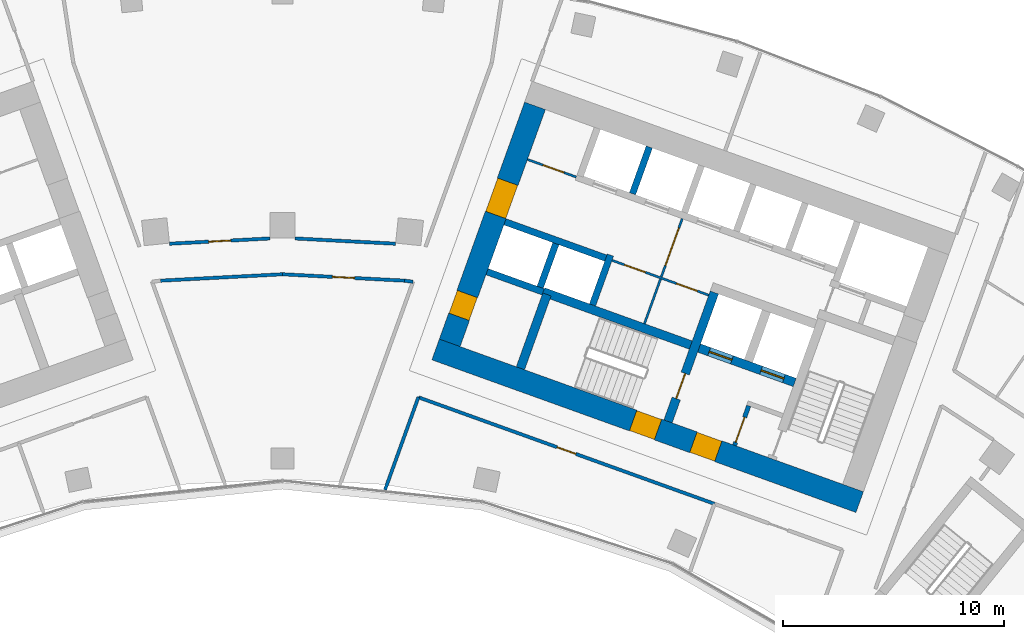
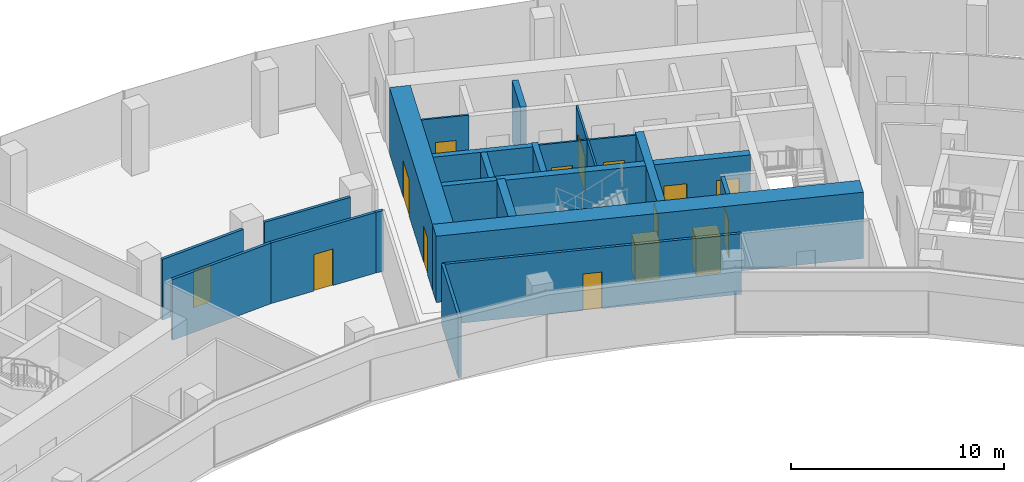
# One storey, part 13 of 17: 21 walls, 15 doors, 15 openings.
"""IFC4 building model written with IfcOpenShell, lengths in metres."""

import ifcopenshell
import ifcopenshell.guid

model = None  # the IFC model being written
_history = None  # IfcOwnerHistory: only IFC2X3 demands one
_inside = {}  # id of a spatial element -> (the spatial element, [elements in it])
_under = {}  # id of a project, library or spatial element -> (it, [spatial elements below it])
_declared = {}  # id of a project -> (the project, [libraries it declares])
_typed = {}  # id of a type object -> (the type object, [elements of that type])
_made_of = {}  # id of a material, layer set ... -> (it, [elements and type objects made of it])


def new_model(schema):
    """Start an empty IFC model of exactly this schema.

    Asked for "IFC4X3", IfcOpenShell would pick the latest addendum, in which some entities
    have other attributes; the version numbers below select the first issue.
    IFC2X3 requires an IfcOwnerHistory on every rooted entity: one is made here for all.
    """
    global model, _history
    if schema == "IFC4X3":
        model = ifcopenshell.file(schema_version=(4, 3, 0, 0))
    else:
        model = ifcopenshell.file(schema=schema)
    _inside.clear()
    _under.clear()
    _declared.clear()
    _typed.clear()
    _made_of.clear()
    _history = None
    if model.schema == "IFC2X3":
        org = make("IfcOrganization", Name="unknown")
        user = make(
            "IfcPersonAndOrganization",
            ThePerson=make("IfcPerson", FamilyName="unknown"),
            TheOrganization=org,
        )
        app = make(
            "IfcApplication",
            ApplicationDeveloper=org,
            Version="unknown",
            ApplicationFullName="unknown",
            ApplicationIdentifier="unknown",
        )
        _history = make(
            "IfcOwnerHistory",
            OwningUser=user,
            OwningApplication=app,
            ChangeAction="ADDED",
            CreationDate=0,
        )
    return model


def make(cls, **values):
    """One entity of the class cls with the attributes given. An attribute that is None is left unset."""
    return model.create_entity(
        cls, **{name: value for name, value in values.items() if value is not None}
    )


def rooted(cls, **values):
    """An entity with a GlobalId (a new one), such as an element, a storey or a relation."""
    return make(cls, GlobalId=ifcopenshell.guid.new(), OwnerHistory=_history, **values)


def si_unit(unit_type, name, prefix=None):
    """IfcSIUnit, for example si_unit("LENGTHUNIT", "METRE", prefix="MILLI")."""
    return make("IfcSIUnit", UnitType=unit_type, Prefix=prefix, Name=name)


def assignment(units):
    """IfcUnitAssignment: the units of a project."""
    return None if units is None else make("IfcUnitAssignment", Units=units)


def point(xyz):
    """IfcCartesianPoint."""
    return None if xyz is None else make("IfcCartesianPoint", Coordinates=xyz)


def direction(xyz):
    """IfcDirection."""
    return None if xyz is None else make("IfcDirection", DirectionRatios=xyz)


def frame(location, z_axis=None, x_axis=None):
    """IfcAxis2Placement3D, a coordinate frame: its origin and axes. An axis left out is left unset."""
    return make(
        "IfcAxis2Placement3D",
        Location=point(location),
        Axis=direction(z_axis),
        RefDirection=direction(x_axis),
    )


def frame_2d(location, x_axis=None):
    """IfcAxis2Placement2D, a coordinate frame in the plane: its origin and x axis."""
    return make(
        "IfcAxis2Placement2D", Location=point(location), RefDirection=direction(x_axis)
    )


def origin():
    """The frame at (0, 0, 0) with its axes left unset."""
    return frame((0.0, 0.0, 0.0))


def place(relative_to, where):
    """IfcLocalPlacement: puts the frame where relative to a parent placement (None: the world)."""
    return make(
        "IfcLocalPlacement", PlacementRelTo=relative_to, RelativePlacement=where
    )


def context(
    kind, dimensions, precision=None, world=None, true_north=None, identifier=None
):
    """IfcGeometricRepresentationContext, for example the 3D "Model" context."""
    return make(
        "IfcGeometricRepresentationContext",
        ContextIdentifier=identifier,
        ContextType=kind,
        CoordinateSpaceDimension=dimensions,
        Precision=precision,
        WorldCoordinateSystem=world,
        TrueNorth=true_north,
    )


def subcontext(parent, identifier, kind, view, scale=None):
    """IfcGeometricRepresentationSubContext, for example "Body" below "Model"."""
    return make(
        "IfcGeometricRepresentationSubContext",
        ContextIdentifier=identifier,
        ContextType=kind,
        ParentContext=parent,
        TargetScale=scale,
        TargetView=view,
    )


def project(units=None, contexts=None):
    """IfcProject with its units and contexts."""
    return rooted(
        "IfcProject",
        Name="project",
        RepresentationContexts=contexts,
        UnitsInContext=assignment(units),
    )


def spatial(cls, under=None, at=None, **own):
    """A site, building, storey or space (cls), placed at a placement, below another one or the project."""
    s = rooted(cls, ObjectPlacement=at, **own)
    if under is not None:
        _under.setdefault(under.id(), (under, []))[1].append(s)
    return s


def profile(cls, at=None, kind="AREA", **sizes):
    """A parametric profile (cls). Its sizes go by their IFC names, for example OverallWidth=200.0."""
    return make(cls, ProfileType=kind, Position=at, **sizes)


def rectangle(**sizes):
    """IfcRectangleProfileDef."""
    return profile("IfcRectangleProfileDef", **sizes)


def extrude(swept, where, along, depth):
    """IfcExtrudedAreaSolid: the profile swept, set in the frame where, extruded along a direction by depth."""
    return make(
        "IfcExtrudedAreaSolid",
        SweptArea=swept,
        Position=where,
        ExtrudedDirection=direction(along),
        Depth=depth,
    )


def shape(context_of_items, identifier, shape_type, items):
    """IfcShapeRepresentation: the items that make up one representation, for example the "Body"."""
    return make(
        "IfcShapeRepresentation",
        ContextOfItems=context_of_items,
        RepresentationIdentifier=identifier,
        RepresentationType=shape_type,
        Items=items,
    )


def material(Name=None, Category=None):
    """IfcMaterial."""
    return make("IfcMaterial", Name=Name, Category=Category)


def layer(
    of_material, thickness, ventilated=None, Name=None, Category=None, Priority=None
):
    """IfcMaterialLayer: one layer of a wall or slab, of a material (None: an air gap)."""
    return make(
        "IfcMaterialLayer",
        Material=of_material,
        LayerThickness=thickness,
        IsVentilated=ventilated,
        Name=Name,
        Category=Category,
        Priority=Priority,
    )


def layer_set(layers, Name=None):
    """IfcMaterialLayerSet."""
    return make("IfcMaterialLayerSet", MaterialLayers=layers, LayerSetName=Name)


def made_of(thing, what):
    """Note that an element or type object is made of a material, layer set ...; save() writes the relation."""
    if what is not None:
        _made_of.setdefault(what.id(), (what, []))[1].append(thing)
    return thing


def type_object(cls, material=None, **own):
    """A type object (cls), such as IfcWallType, which elements share."""
    return made_of(rooted(cls, **own), material)


def element(
    cls,
    number,
    at=None,
    inside=None,
    cuts=None,
    type_object=None,
    material=None,
    context=None,
    identifier="Body",
    shape_type=None,
    held_by="IfcProductDefinitionShape",
    body=None,
    shapes=None,
    **own,
):
    """One element of the class cls, such as IfcWall. Its Tag is "e" and its number.

    at: its placement. inside: the storey or other place that contains it. cuts: it is an
    opening in that element (IfcRelVoidsElement). A single representation is given by context,
    identifier, shape_type and body (its items); several are given by shapes. held_by: the class
    of the entity that holds the representations. save() writes the other relations.
    """
    e = rooted(cls, Tag="e%d" % number, ObjectPlacement=at, **own)
    if body is not None:
        shapes = [shape(context, identifier, shape_type, body)]
    if shapes is not None:
        e.Representation = make(held_by, Representations=shapes)
    if inside is not None:
        _inside.setdefault(inside.id(), (inside, []))[1].append(e)
    if cuts is not None:
        rooted(
            "IfcRelVoidsElement", RelatingBuildingElement=cuts, RelatedOpeningElement=e
        )
    if type_object is not None:
        _typed.setdefault(type_object.id(), (type_object, []))[1].append(e)
    return made_of(e, material)


def fill(opening, filler):
    """IfcRelFillsElement: the door or window that sits in an opening."""
    return rooted(
        "IfcRelFillsElement",
        RelatingOpeningElement=opening,
        RelatedBuildingElement=filler,
    )


def aggregate(whole, parts):
    """IfcRelAggregates: a whole, such as a stair, and the parts it consists of."""
    return rooted("IfcRelAggregates", RelatingObject=whole, RelatedObjects=parts)


def save(model, path):
    """Write the relations noted so far, then the file.

    IfcRelAggregates (storeys below a building ...), IfcRelContainedInSpatialStructure (elements
    in a storey), IfcRelDefinesByType, IfcRelAssociatesMaterial and IfcRelDeclares: one each for
    every whole, place, type object, material and project.
    """
    for whole, parts in _under.values():
        aggregate(whole, parts)
    for where, things in _inside.values():
        rooted(
            "IfcRelContainedInSpatialStructure",
            RelatedElements=things,
            RelatingStructure=where,
        )
    for kind, things in _typed.values():
        rooted("IfcRelDefinesByType", RelatedObjects=things, RelatingType=kind)
    for what, things in _made_of.values():
        rooted("IfcRelAssociatesMaterial", RelatedObjects=things, RelatingMaterial=what)
    for by, libraries in _declared.values():
        rooted("IfcRelDeclares", RelatingContext=by, RelatedDefinitions=libraries)
    model.write(path)


model = new_model("IFC4")

# Units and contexts
model_context = context("Model", 3, precision=1e-05, world=origin(), true_north=direction((0.0, 1.0)))
body_context = subcontext(model_context, "Body", "Model", "MODEL_VIEW")
ifc_project = project(units=[si_unit("LENGTHUNIT", "METRE"), si_unit("AREAUNIT", "SQUARE_METRE"), si_unit("VOLUMEUNIT", "CUBIC_METRE"), si_unit("PLANEANGLEUNIT", "RADIAN"), si_unit("MASSUNIT", "GRAM", prefix="KILO")], contexts=[model_context])

# Site, building, storey
site_placement = place(None, origin())
site = spatial("IfcSite", under=ifc_project, at=site_placement, CompositionType="ELEMENT")
building_placement = place(site_placement, origin())
building = spatial("IfcBuilding", under=site, at=building_placement, Name="Stone Belt Terrace Tower", CompositionType="ELEMENT")
storey_placement = place(building_placement, frame((0.0, 0.0, 231.39990234375)))
storey = spatial("IfcBuildingStorey", under=building, at=storey_placement, Name="L56", CompositionType="ELEMENT", Elevation=231.39990234375)

# Wall, openings, doors
ifc_material_1 = material(Name="Plasterboard partition")
ifc_layer_1 = layer(ifc_material_1, 0.10009765625)
ifc_layer_set_1 = layer_set([ifc_layer_1], Name="Core partition 100")
wall_type_1 = type_object("IfcWallType", Name="Core partition 100", PredefinedType="PARTITIONING", material=ifc_layer_set_1)
wall_1_placement = place(storey_placement, frame((19.29052734375, 51.829833984375, 0.0), z_axis=(0.0, 0.0, 1.0), x_axis=(-0.940930240745, 0.338600475563, 0.0)))
wall_1 = element("IfcWall", 1, at=wall_1_placement, inside=storey, type_object=wall_type_1, Name="Core B wall", PredefinedType="PARTITIONING", context=body_context, shape_type="SweptSolid", body=[
    extrude(rectangle(XDim=4.64990234375, YDim=0.10009765625, at=frame_2d((2.324951171875, 0.0))), origin(), (0.0, 0.0, 1.0), 3.47998046875),
])
opening_1_placement = place(wall_1_placement, frame((0.550048828125, 0.0, 0.0)))
opening_1 = element("IfcOpeningElement", 2, at=opening_1_placement, cuts=wall_1, Name="Opening L56-C15", PredefinedType="OPENING", context=body_context, shape_type="SweptSolid", body=[
    extrude(rectangle(XDim=1.0, YDim=2.10009765625, at=frame_2d((0.5, 1.050048828125))), frame((0.0, 0.06005859375, 0.0), z_axis=(0.0, -1.0, 0.0), x_axis=(1.0, 0.0, 0.0)), (0.0, 0.0, 1.0), 0.1201171875),
])
opening_2_placement = place(wall_1_placement, frame((3.050048828125, 0.0, 0.0)))
opening_2 = element("IfcOpeningElement", 3, at=opening_2_placement, cuts=wall_1, Name="Opening L56-C16", PredefinedType="OPENING", context=body_context, shape_type="SweptSolid", body=[
    extrude(rectangle(XDim=1.0, YDim=2.10009765625, at=frame_2d((0.5, 1.050048828125))), frame((0.0, 0.06005859375, 0.0), z_axis=(0.0, -1.0, 0.0), x_axis=(1.0, 0.0, 0.0)), (0.0, 0.0, 1.0), 0.1201171875),
])
ifc_material_2 = material(Name="Timber door leaf", Category="wood")
door_type_1 = type_object("IfcDoorType", Name="Core room door 1000", OperationType="SINGLE_SWING_LEFT", PredefinedType="DOOR", material=ifc_material_2)
door_1_placement = place(opening_1_placement, origin())
door_1 = element("IfcDoor", 4, at=door_1_placement, inside=storey, type_object=door_type_1, Name="Door to Communications hub room core B", OperationType="SINGLE_SWING_LEFT", OverallHeight=2.10009765625, OverallWidth=1.0, PredefinedType="DOOR", context=body_context, shape_type="SweptSolid", body=[
    extrude(rectangle(XDim=1.0, YDim=2.10009765625, at=frame_2d((0.5, 1.050048828125))), frame((0.0, 0.02490234375, 0.0), z_axis=(0.0, -1.0, 0.0), x_axis=(1.0, 0.0, 0.0)), (0.0, 0.0, 1.0), 0.050048828125),
])
fill(opening_1, door_1)
door_2_placement = place(opening_2_placement, origin())
door_2 = element("IfcDoor", 5, at=door_2_placement, inside=storey, type_object=door_type_1, Name="Door to Print and copy room core B", OperationType="SINGLE_SWING_RIGHT", OverallHeight=2.10009765625, OverallWidth=1.0, PredefinedType="DOOR", context=body_context, shape_type="SweptSolid", body=[
    extrude(rectangle(XDim=1.0, YDim=2.10009765625, at=frame_2d((0.5, 1.050048828125))), frame((0.0, 0.02490234375, 0.0), z_axis=(0.0, -1.0, 0.0), x_axis=(1.0, 0.0, 0.0)), (0.0, 0.0, 1.0), 0.050048828125),
])
fill(opening_2, door_2)

# Wall, opening, door
wall_2_placement = place(storey_placement, frame((16.38134765625, 50.53857421875, 0.0), z_axis=(0.0, 0.0, 1.0), x_axis=(0.33860476744, 0.940928696271, 0.0)))
wall_2 = element("IfcWall", 6, at=wall_2_placement, inside=storey, type_object=wall_type_1, Name="Core B wall", PredefinedType="PARTITIONING", context=body_context, shape_type="SweptSolid", body=[
    extrude(rectangle(XDim=5.050048828125, YDim=0.10009765625, at=frame_2d((2.52490234375, 0.0))), origin(), (0.0, 0.0, 1.0), 3.47998046875),
])
opening_3_placement = place(wall_2_placement, frame((2.800048828125, 0.0, 0.0)))
opening_3 = element("IfcOpeningElement", 7, at=opening_3_placement, cuts=wall_2, Name="Opening L56-C19", PredefinedType="OPENING", context=body_context, shape_type="SweptSolid", body=[
    extrude(rectangle(XDim=1.800048828125, YDim=2.10009765625, at=frame_2d((0.89990234375, 1.050048828125))), frame((0.0, 0.06005859375, 0.0), z_axis=(0.0, -1.0, 0.0), x_axis=(1.0, 0.0, 0.0)), (0.0, 0.0, 1.0), 0.1201171875),
])
ifc_material_3 = material(Name="Glazed aluminium door leaf", Category="aluminium")
door_type_2 = type_object("IfcDoorType", Name="Lift lobby entrance door 1800", OperationType="DOUBLE_DOOR_SINGLE_SWING", PredefinedType="DOOR", material=ifc_material_3)
door_3_placement = place(opening_3_placement, origin())
door_3 = element("IfcDoor", 8, at=door_3_placement, inside=storey, type_object=door_type_2, Name="Lift lobby double door core B", OperationType="DOUBLE_DOOR_SINGLE_SWING", OverallHeight=2.10009765625, OverallWidth=1.800048828125, PredefinedType="DOOR", context=body_context, shape_type="SweptSolid", body=[
    extrude(rectangle(XDim=1.800048828125, YDim=2.10009765625, at=frame_2d((0.89990234375, 1.050048828125))), frame((0.0, 0.02490234375, 0.0), z_axis=(0.0, -1.0, 0.0), x_axis=(1.0, 0.0, 0.0)), (0.0, 0.0, 1.0), 0.050048828125),
])
fill(opening_3, door_3)

wall_3_placement = place(storey_placement, frame((13.29638671875, 57.17529296875, 0.0), z_axis=(0.0, 0.0, 1.0), x_axis=(-0.940904627055, 0.338671644496, 0.0)))
wall_3 = element("IfcWall", 9, at=wall_3_placement, inside=storey, type_object=wall_type_1, Name="Core B wall", PredefinedType="PARTITIONING", context=body_context, shape_type="SweptSolid", body=[
    extrude(rectangle(XDim=2.35009765625, YDim=0.10009765625, at=frame_2d((1.175048828125, 0.0))), origin(), (0.0, 0.0, 1.0), 3.47998046875),
])
opening_4_placement = place(wall_3_placement, frame((0.60009765625, 0.0, 0.0)))
opening_4 = element("IfcOpeningElement", 10, at=opening_4_placement, cuts=wall_3, Name="Opening L56-C14", PredefinedType="OPENING", context=body_context, shape_type="SweptSolid", body=[
    extrude(rectangle(XDim=1.0, YDim=2.10009765625, at=frame_2d((0.5, 1.050048828125))), frame((0.0, 0.06005859375, 0.0), z_axis=(0.0, -1.0, 0.0), x_axis=(1.0, 0.0, 0.0)), (0.0, 0.0, 1.0), 0.1201171875),
])
door_4_placement = place(opening_4_placement, origin())
door_4 = element("IfcDoor", 11, at=door_4_placement, inside=storey, type_object=door_type_1, Name="Door to Tenant storage room core B", OperationType="SINGLE_SWING_LEFT", OverallHeight=2.10009765625, OverallWidth=1.0, PredefinedType="DOOR", context=body_context, shape_type="SweptSolid", body=[
    extrude(rectangle(XDim=1.0, YDim=2.10009765625, at=frame_2d((0.5, 1.050048828125))), frame((0.0, 0.02490234375, 0.0), z_axis=(0.0, -1.0, 0.0), x_axis=(1.0, 0.0, 0.0)), (0.0, 0.0, 1.0), 0.050048828125),
])
fill(opening_4, door_4)

# Wall, openings, doors
ifc_material_4 = material(Name="Concrete B60", Category="concrete")
ifc_layer_2 = layer(ifc_material_4, 1.0)
ifc_layer_set_2 = layer_set([ifc_layer_2], Name="Core wall 1000 B60")
wall_type_2 = type_object("IfcWallType", Name="Core wall 1000 B60", PredefinedType="SHEAR", material=ifc_layer_set_2)
wall_4_placement = place(storey_placement, frame((6.927490234375, 49.370849609375, 0.0), z_axis=(0.0, 0.0, 1.0), x_axis=(0.940921428504, -0.338624962727, 0.0)))
wall_4 = element("IfcWall", 12, at=wall_4_placement, inside=storey, type_object=wall_type_2, Name="Core B wall concave L56", PredefinedType="SHEAR", context=body_context, shape_type="SweptSolid", body=[
    extrude(rectangle(XDim=20.400146484375, YDim=1.0, at=frame_2d((10.2001953125, 0.0))), origin(), (0.0, 0.0, 1.0), 3.800048828125),
])
opening_5_placement = place(wall_4_placement, frame((12.39990234375, 0.0, 0.0)))
opening_5 = element("IfcOpeningElement", 13, at=opening_5_placement, cuts=wall_4, Name="Opening L56-C23", PredefinedType="OPENING", context=body_context, shape_type="SweptSolid", body=[
    extrude(rectangle(XDim=1.199951171875, YDim=2.10009765625, at=frame_2d((0.60009765625, 1.050048828125))), frame((0.0, 0.510009765625, 0.0), z_axis=(0.0, -1.0, 0.0), x_axis=(1.0, 0.0, 0.0)), (0.0, 0.0, 1.0), 1.02001953125),
])
opening_6_placement = place(wall_4_placement, frame((9.5, 0.0, 0.0)))
opening_6 = element("IfcOpeningElement", 14, at=opening_6_placement, cuts=wall_4, Name="Opening L56-C25", PredefinedType="OPENING", context=body_context, shape_type="SweptSolid", body=[
    extrude(rectangle(XDim=1.199951171875, YDim=2.10009765625, at=frame_2d((0.60009765625, 1.050048828125))), frame((0.0, 0.510009765625, 0.0), z_axis=(0.0, -1.0, 0.0), x_axis=(1.0, 0.0, 0.0)), (0.0, 0.0, 1.0), 1.02001953125),
])
ifc_material_5 = material(Name="Steel door leaf", Category="steel")
door_type_3 = type_object("IfcDoorType", Name="Fire-fighting lobby door 1200", OperationType="SINGLE_SWING_LEFT", PredefinedType="DOOR", material=ifc_material_5)
door_5_placement = place(opening_5_placement, origin())
door_5 = element("IfcDoor", 15, at=door_5_placement, inside=storey, type_object=door_type_3, Name="Fire-fighting lobby door core B", OperationType="SINGLE_SWING_LEFT", OverallHeight=2.10009765625, OverallWidth=1.199951171875, PredefinedType="DOOR", context=body_context, shape_type="SweptSolid", body=[
    extrude(rectangle(XDim=1.199951171875, YDim=2.10009765625, at=frame_2d((0.60009765625, 1.050048828125))), frame((0.0, 0.47998046875, 0.0), z_axis=(0.0, -1.0, 0.0), x_axis=(1.0, 0.0, 0.0)), (0.0, 0.0, 1.0), 0.9599609375),
])
fill(opening_5, door_5)
door_type_4 = type_object("IfcDoorType", Name="Stair door 1200", OperationType="SINGLE_SWING_LEFT", PredefinedType="DOOR", material=ifc_material_5)
door_6_placement = place(opening_6_placement, origin())
door_6 = element("IfcDoor", 16, at=door_6_placement, inside=storey, type_object=door_type_4, Name="Stair 2 exit door core B", OperationType="SINGLE_SWING_RIGHT", OverallHeight=2.10009765625, OverallWidth=1.199951171875, PredefinedType="DOOR", context=body_context, shape_type="SweptSolid", body=[
    extrude(rectangle(XDim=1.199951171875, YDim=2.10009765625, at=frame_2d((0.60009765625, 1.050048828125))), frame((0.0, 0.47998046875, 0.0), z_axis=(0.0, -1.0, 0.0), x_axis=(1.0, 0.0, 0.0)), (0.0, 0.0, 1.0), 0.9599609375),
])
fill(opening_6, door_6)

wall_5_placement = place(storey_placement, frame((7.567138671875, 49.672119140625, 0.0), z_axis=(0.0, 0.0, 1.0), x_axis=(0.338625431531, 0.940921259788, 0.0)))
wall_5 = element("IfcWall", 17, at=wall_5_placement, inside=storey, type_object=wall_type_2, Name="Core B wall end_a L56", PredefinedType="SHEAR", context=body_context, shape_type="SweptSolid", body=[
    extrude(rectangle(XDim=11.400146484375, YDim=1.0, at=frame_2d((5.7001953125, 0.0))), origin(), (0.0, 0.0, 1.0), 3.800048828125),
])
opening_7_placement = place(wall_5_placement, frame((6.14990234375, 0.0, 0.0)))
opening_7 = element("IfcOpeningElement", 18, at=opening_7_placement, cuts=wall_5, Name="Opening L56-C20", PredefinedType="OPENING", context=body_context, shape_type="SweptSolid", body=[
    extrude(rectangle(XDim=1.60009765625, YDim=2.10009765625, at=frame_2d((0.800048828125, 1.050048828125))), frame((0.0, 0.510009765625, 0.0), z_axis=(0.0, -1.0, 0.0), x_axis=(1.0, 0.0, 0.0)), (0.0, 0.0, 1.0), 1.02001953125),
])
opening_8_placement = place(wall_5_placement, frame((1.25, 0.0, 0.0)))
opening_8 = element("IfcOpeningElement", 19, at=opening_8_placement, cuts=wall_5, Name="Opening L56-C26", PredefinedType="OPENING", context=body_context, shape_type="SweptSolid", body=[
    extrude(rectangle(XDim=1.10009765625, YDim=2.10009765625, at=frame_2d((0.550048828125, 1.050048828125))), frame((0.0, 0.510009765625, 0.0), z_axis=(0.0, -1.0, 0.0), x_axis=(1.0, 0.0, 0.0)), (0.0, 0.0, 1.0), 1.02001953125),
])
door_type_5 = type_object("IfcDoorType", Name="Core room door 1100", OperationType="SINGLE_SWING_LEFT", PredefinedType="DOOR", material=ifc_material_2)
door_7_placement = place(opening_8_placement, origin())
door_7 = element("IfcDoor", 20, at=door_7_placement, inside=storey, type_object=door_type_5, Name="Door to Electrical riser room core B", OperationType="SINGLE_SWING_LEFT", OverallHeight=2.10009765625, OverallWidth=1.10009765625, PredefinedType="DOOR", context=body_context, shape_type="SweptSolid", body=[
    extrude(rectangle(XDim=1.10009765625, YDim=2.10009765625, at=frame_2d((0.550048828125, 1.050048828125))), frame((0.0, 0.47998046875, 0.0), z_axis=(0.0, -1.0, 0.0), x_axis=(1.0, 0.0, 0.0)), (0.0, 0.0, 1.0), 0.9599609375),
])
fill(opening_8, door_7)
door_type_6 = type_object("IfcDoorType", Name="Lift lobby entrance door 1600", OperationType="DOUBLE_DOOR_SINGLE_SWING", PredefinedType="DOOR", material=ifc_material_3)
door_8_placement = place(opening_7_placement, origin())
door_8 = element("IfcDoor", 21, at=door_8_placement, inside=storey, type_object=door_type_6, Name="Lift lobby entrance door core B", OperationType="DOUBLE_DOOR_SINGLE_SWING", OverallHeight=2.10009765625, OverallWidth=1.60009765625, PredefinedType="DOOR", context=body_context, shape_type="SweptSolid", body=[
    extrude(rectangle(XDim=1.60009765625, YDim=2.10009765625, at=frame_2d((0.800048828125, 1.050048828125))), frame((0.0, 0.47998046875, 0.0), z_axis=(0.0, -1.0, 0.0), x_axis=(1.0, 0.0, 0.0)), (0.0, 0.0, 1.0), 0.9599609375),
])
fill(opening_7, door_8)

# Walls
ifc_material_6 = material(Name="Concrete B80", Category="concrete")
ifc_layer_3 = layer(ifc_material_6, 0.300048828125)
ifc_layer_set_3 = layer_set([ifc_layer_3], Name="Lift shaft wall 300")
wall_type_3 = type_object("IfcWallType", Name="Lift shaft wall 300", PredefinedType="SHEAR", material=ifc_layer_set_3)
wall_6_placement = place(storey_placement, frame((14.029052734375, 51.38525390625, 0.0), z_axis=(0.0, 0.0, 1.0), x_axis=(0.338661829791, 0.940908159728, 0.0)))
element("IfcWall", 22, at=wall_6_placement, inside=storey, type_object=wall_type_3, Name="Core B wall", PredefinedType="SHEAR", context=body_context, shape_type="SweptSolid", body=[
    extrude(rectangle(XDim=2.39990234375, YDim=0.300048828125, at=frame_2d((1.199951171875, 0.0))), origin(), (0.0, 0.0, 1.0), 3.47998046875),
])
wall_7_placement = place(storey_placement, frame((14.6328125, 53.506103515625, 0.0), z_axis=(0.0, 0.0, 1.0), x_axis=(-0.940931684323, 0.338596464007, 0.0)))
element("IfcWall", 23, at=wall_7_placement, inside=storey, type_object=wall_type_3, Name="Core B wall", PredefinedType="SHEAR", context=body_context, shape_type="SweptSolid", body=[
    extrude(rectangle(XDim=4.849609375, YDim=0.300048828125, at=frame_2d((2.4248046875, 0.0))), origin(), (0.0, 0.0, 1.0), 3.47998046875),
])
wall_8_placement = place(storey_placement, frame((15.8408203125, 56.419189453125, 0.0), z_axis=(0.0, 0.0, 1.0), x_axis=(0.338569601369, 0.940941350472, 0.0)))
element("IfcWall", 24, at=wall_8_placement, inside=storey, type_object=wall_type_3, Name="Core B wall", PredefinedType="SHEAR", context=body_context, shape_type="SweptSolid", body=[
    extrude(rectangle(XDim=2.249755859375, YDim=0.300048828125, at=frame_2d((1.125, 0.0))), origin(), (0.0, 0.0, 1.0), 3.47998046875),
])
wall_9_placement = place(storey_placement, frame((11.797119140625, 51.975830078125, 0.0), z_axis=(0.0, 0.0, 1.0), x_axis=(-0.940910465161, 0.33865542451, 0.0)))
element("IfcWall", 25, at=wall_9_placement, inside=storey, type_object=wall_type_3, Name="Core B wall", PredefinedType="SHEAR", context=body_context, shape_type="SweptSolid", body=[
    extrude(rectangle(XDim=2.69970703125, YDim=0.300048828125, at=frame_2d((1.349853515625, 0.0))), origin(), (0.0, 0.0, 1.0), 3.47998046875),
])
wall_10_placement = place(storey_placement, frame((11.659912109375, 52.184814453125, 0.0), z_axis=(0.0, 0.0, 1.0), x_axis=(0.338670064856, 0.940905195634, 0.0)))
element("IfcWall", 26, at=wall_10_placement, inside=storey, type_object=wall_type_3, Name="Core B wall", PredefinedType="SHEAR", context=body_context, shape_type="SweptSolid", body=[
    extrude(rectangle(XDim=2.099853515625, YDim=0.300048828125, at=frame_2d((1.0498046875, 0.0))), origin(), (0.0, 0.0, 1.0), 3.47998046875),
])
ifc_material_7 = material(Name="Gypsum board partition")
ifc_layer_4 = layer(ifc_material_7, 0.14990234375)
ifc_layer_set_4 = layer_set([ifc_layer_4], Name="PARTITION 150 EI 60")
wall_type_4 = type_object("IfcWallType", Name="PARTITION 150 EI 60", PredefinedType="PARTITIONING", material=ifc_layer_set_4)
wall_11_placement = place(storey_placement, frame((6.14990234375, 47.212890625, 0.0), z_axis=(0.0, 0.0, 1.0), x_axis=(-0.338583902482, -0.940936204522, 0.0)))
element("IfcWall", 27, at=wall_11_placement, inside=storey, type_object=wall_type_4, Name="L56/wall/i016", PredefinedType="PARTITIONING", context=body_context, shape_type="SweptSolid", body=[
    extrude(rectangle(XDim=4.464111328125, YDim=0.14990234375, at=frame_2d((2.23193359375, 0.0))), origin(), (0.0, 0.0, 1.0), 3.47998046875),
])

# Wall, opening, door
wall_12_placement = place(storey_placement, frame((19.552978515625, 42.383056640625, 0.0), z_axis=(0.0, 0.0, 1.0), x_axis=(-0.940920615009, 0.338627223138, 0.0)))
wall_12 = element("IfcWall", 28, at=wall_12_placement, inside=storey, type_object=wall_type_4, Name="L56/wall/i028", PredefinedType="PARTITIONING", context=body_context, shape_type="SweptSolid", body=[
    extrude(rectangle(XDim=14.24560546875, YDim=0.14990234375, at=frame_2d((7.122802734375, 0.0))), origin(), (0.0, 0.0, 1.0), 3.47998046875),
])
opening_9_placement = place(wall_12_placement, frame((6.6728515625, 0.0, 0.0)))
opening_9 = element("IfcOpeningElement", 29, at=opening_9_placement, cuts=wall_12, Name="Opening D-D4-05", PredefinedType="OPENING", context=body_context, shape_type="SweptSolid", body=[
    extrude(rectangle(XDim=0.89990234375, YDim=2.10009765625, at=frame_2d((0.449951171875, 1.050048828125))), frame((0.0, 0.0849609375, 0.0), z_axis=(0.0, -1.0, 0.0), x_axis=(1.0, 0.0, 0.0)), (0.0, 0.0, 1.0), 0.169921875),
])
door_type_7 = type_object("IfcDoorType", Name="OFFICE DOOR 900 X 2100", OperationType="NOTDEFINED", PredefinedType="DOOR", material=ifc_material_2)
door_9_placement = place(opening_9_placement, origin())
door_9 = element("IfcDoor", 30, at=door_9_placement, inside=storey, type_object=door_type_7, Name="L56/door/i05", OperationType="SINGLE_SWING_RIGHT", OverallHeight=2.10009765625, OverallWidth=0.89990234375, PredefinedType="DOOR", context=body_context, shape_type="SweptSolid", body=[
    extrude(rectangle(XDim=0.89990234375, YDim=2.10009765625, at=frame_2d((0.449951171875, 1.050048828125))), frame((0.0, 0.02490234375, 0.0), z_axis=(0.0, -1.0, 0.0), x_axis=(1.0, 0.0, 0.0)), (0.0, 0.0, 1.0), 0.050048828125),
])
fill(opening_9, door_9)

# Wall
wall_13_placement = place(storey_placement, frame((5.904052734375, 52.43603515625, 0.0), z_axis=(0.0, 0.0, 1.0), x_axis=(-0.991780421826, 0.127951533338, 0.0)))
element("IfcWall", 31, at=wall_13_placement, inside=storey, type_object=wall_type_4, Name="L56/wall/i066", PredefinedType="PARTITIONING", context=body_context, shape_type="SweptSolid", body=[
    extrude(rectangle(XDim=0.39111328125, YDim=0.14990234375, at=frame_2d((0.195556640625, 0.0))), origin(), (0.0, 0.0, 1.0), 3.47998046875),
])

# Wall, opening, door
wall_14_placement = place(storey_placement, frame((5.51611328125, 52.486083984375, 0.0), z_axis=(0.0, 0.0, 1.0), x_axis=(-0.998632077757, 0.052287410285, 0.0)))
wall_14 = element("IfcWall", 32, at=wall_14_placement, inside=storey, type_object=wall_type_4, Name="L56/wall/i067", PredefinedType="PARTITIONING", context=body_context, shape_type="SweptSolid", body=[
    extrude(rectangle(XDim=5.523681640625, YDim=0.14990234375, at=frame_2d((2.76171875, 0.0))), origin(), (0.0, 0.0, 1.0), 3.47998046875),
])
opening_10_placement = place(wall_14_placement, frame((2.26171875, 0.0, 0.0)))
opening_10 = element("IfcOpeningElement", 33, at=opening_10_placement, cuts=wall_14, Name="Opening D-D4-23", PredefinedType="OPENING", context=body_context, shape_type="SweptSolid", body=[
    extrude(rectangle(XDim=1.0, YDim=2.10009765625, at=frame_2d((0.5, 1.050048828125))), frame((0.0, 0.0849609375, 0.0), z_axis=(0.0, -1.0, 0.0), x_axis=(1.0, 0.0, 0.0)), (0.0, 0.0, 1.0), 0.169921875),
])
ifc_material_8 = material(Name="Timber fire door leaf", Category="wood")
door_type_8 = type_object("IfcDoorType", Name="TENANCY ENTRANCE DOOR 1000 X 2100", OperationType="NOTDEFINED", PredefinedType="DOOR", material=ifc_material_8)
door_10_placement = place(opening_10_placement, origin())
door_10 = element("IfcDoor", 34, at=door_10_placement, inside=storey, type_object=door_type_8, Name="L56/door/i23", OperationType="SINGLE_SWING_RIGHT", OverallHeight=2.10009765625, OverallWidth=1.0, PredefinedType="DOOR", context=body_context, shape_type="SweptSolid", body=[
    extrude(rectangle(XDim=1.0, YDim=2.10009765625, at=frame_2d((0.5, 1.050048828125))), frame((0.0, 0.02490234375, 0.0), z_axis=(0.0, -1.0, 0.0), x_axis=(1.0, 0.0, 0.0)), (0.0, 0.0, 1.0), 0.050048828125),
])
fill(opening_10, door_10)

# Wall
wall_15_placement = place(storey_placement, frame((0.0, 52.77490234375, 0.0), z_axis=(0.0, 0.0, 1.0), x_axis=(-0.998632077757, -0.052287410285, 0.0)))
element("IfcWall", 35, at=wall_15_placement, inside=storey, type_object=wall_type_4, Name="L56/wall/i068", PredefinedType="PARTITIONING", context=body_context, shape_type="SweptSolid", body=[
    extrude(rectangle(XDim=5.523681640625, YDim=0.14990234375, at=frame_2d((2.76171875, 0.0))), origin(), (0.0, 0.0, 1.0), 3.47998046875),
])

# Wall, opening, door
wall_16_placement = place(storey_placement, frame((-5.114013671875, 54.1572265625, 0.0), z_axis=(0.0, 0.0, 1.0), x_axis=(0.998631882583, 0.052291137769, 0.0)))
wall_16 = element("IfcWall", 36, at=wall_16_placement, inside=storey, type_object=wall_type_4, Name="L56/wall/i070", PredefinedType="PARTITIONING", context=body_context, shape_type="SweptSolid", body=[
    extrude(rectangle(XDim=4.54736328125, YDim=0.14990234375, at=frame_2d((2.273681640625, 0.0))), origin(), (0.0, 0.0, 1.0), 3.47998046875),
])
opening_11_placement = place(wall_16_placement, frame((1.773681640625, 0.0, 0.0)))
opening_11 = element("IfcOpeningElement", 37, at=opening_11_placement, cuts=wall_16, Name="Opening D-D4-24", PredefinedType="OPENING", context=body_context, shape_type="SweptSolid", body=[
    extrude(rectangle(XDim=1.0, YDim=2.10009765625, at=frame_2d((0.5, 1.050048828125))), frame((0.0, 0.0849609375, 0.0), z_axis=(0.0, -1.0, 0.0), x_axis=(1.0, 0.0, 0.0)), (0.0, 0.0, 1.0), 0.169921875),
])
door_11_placement = place(opening_11_placement, origin())
door_11 = element("IfcDoor", 38, at=door_11_placement, inside=storey, type_object=door_type_8, Name="L56/door/i24", OperationType="SINGLE_SWING_RIGHT", OverallHeight=2.10009765625, OverallWidth=1.0, PredefinedType="DOOR", context=body_context, shape_type="SweptSolid", body=[
    extrude(rectangle(XDim=1.0, YDim=2.10009765625, at=frame_2d((0.5, 1.050048828125))), frame((0.0, 0.02490234375, 0.0), z_axis=(0.0, -1.0, 0.0), x_axis=(1.0, 0.0, 0.0)), (0.0, 0.0, 1.0), 0.050048828125),
])
fill(opening_11, door_11)

# Wall
wall_17_placement = place(storey_placement, frame((0.57275390625, 54.39501953125, 0.0), z_axis=(0.0, 0.0, 1.0), x_axis=(0.998631882583, -0.052291137769, 0.0)))
element("IfcWall", 39, at=wall_17_placement, inside=storey, type_object=wall_type_4, Name="L56/wall/i071", PredefinedType="PARTITIONING", context=body_context, shape_type="SweptSolid", body=[
    extrude(rectangle(XDim=4.54736328125, YDim=0.14990234375, at=frame_2d((2.273681640625, 0.0))), origin(), (0.0, 0.0, 1.0), 3.47998046875),
])

# Wall, opening, door
ifc_material_9 = material(Name="Concrete masonry block", Category="masonry")
ifc_layer_5 = layer(ifc_material_9, 0.199951171875)
ifc_layer_set_5 = layer_set([ifc_layer_5], Name="Rated lobby wall 200")
wall_type_5 = type_object("IfcWallType", Name="Rated lobby wall 200", PredefinedType="PARTITIONING", material=ifc_layer_set_5)
wall_18_placement = place(storey_placement, frame((20.4580078125, 45.032958984375, 0.0), z_axis=(0.0, 0.0, 1.0), x_axis=(0.338573865316, 0.940939816208, 0.0)))
wall_18 = element("IfcWall", 40, at=wall_18_placement, inside=storey, type_object=wall_type_5, Name="Core B wall", PredefinedType="PARTITIONING", context=body_context, shape_type="SweptSolid", body=[
    extrude(rectangle(XDim=1.900146484375, YDim=0.199951171875, at=frame_2d((0.9501953125, 0.0))), origin(), (0.0, 0.0, 1.0), 3.47998046875),
])
opening_12_placement = place(wall_18_placement, frame((0.14990234375, 0.0, 0.0)))
opening_12 = element("IfcOpeningElement", 41, at=opening_12_placement, cuts=wall_18, Name="Opening L56-C22", PredefinedType="OPENING", context=body_context, shape_type="SweptSolid", body=[
    extrude(rectangle(XDim=1.199951171875, YDim=2.10009765625, at=frame_2d((0.60009765625, 1.050048828125))), frame((0.0, 0.10986328125, 0.0), z_axis=(0.0, -1.0, 0.0), x_axis=(1.0, 0.0, 0.0)), (0.0, 0.0, 1.0), 0.219970703125),
])
door_12_placement = place(opening_12_placement, origin())
door_12 = element("IfcDoor", 42, at=door_12_placement, inside=storey, type_object=door_type_4, Name="Stair airlock door core B", OperationType="SINGLE_SWING_LEFT", OverallHeight=2.10009765625, OverallWidth=1.199951171875, PredefinedType="DOOR", context=body_context, shape_type="SweptSolid", body=[
    extrude(rectangle(XDim=1.199951171875, YDim=2.10009765625, at=frame_2d((0.60009765625, 1.050048828125))), frame((0.0, 0.02490234375, 0.0), z_axis=(0.0, -1.0, 0.0), x_axis=(1.0, 0.0, 0.0)), (0.0, 0.0, 1.0), 0.050048828125),
])
fill(opening_12, door_12)

# Wall, openings, doors
ifc_layer_6 = layer(ifc_material_6, 0.39990234375)
ifc_layer_set_6 = layer_set([ifc_layer_6], Name="Stair enclosure wall 400")
wall_type_6 = type_object("IfcWallType", Name="Stair enclosure wall 400", PredefinedType="SHEAR", material=ifc_layer_set_6)
wall_19_placement = place(storey_placement, frame((23.182373046875, 47.87841796875, 0.0), z_axis=(0.0, 0.0, 1.0), x_axis=(-0.940921101762, 0.338625870628, 0.0)))
wall_19 = element("IfcWall", 43, at=wall_19_placement, inside=storey, type_object=wall_type_6, Name="Core B wall", PredefinedType="SHEAR", context=body_context, shape_type="SweptSolid", body=[
    extrude(rectangle(XDim=12.10009765625, YDim=0.39990234375, at=frame_2d((6.050048828125, 0.0))), origin(), (0.0, 0.0, 1.0), 3.47998046875),
])
opening_13_placement = place(wall_19_placement, frame((0.52001953125, 0.0, 0.0)))
opening_13 = element("IfcOpeningElement", 44, at=opening_13_placement, cuts=wall_19, Name="Opening L56-LD14", PredefinedType="OPENING", context=body_context, shape_type="SweptSolid", body=[
    extrude(rectangle(XDim=1.10009765625, YDim=2.199951171875, at=frame_2d((0.550048828125, 1.10009765625))), frame((0.0, 0.2099609375, 0.0), z_axis=(0.0, -1.0, 0.0), x_axis=(1.0, 0.0, 0.0)), (0.0, 0.0, 1.0), 0.419921875),
])
opening_14_placement = place(wall_19_placement, frame((3.02001953125, 0.0, 0.0)))
opening_14 = element("IfcOpeningElement", 45, at=opening_14_placement, cuts=wall_19, Name="Opening L56-LD15", PredefinedType="OPENING", context=body_context, shape_type="SweptSolid", body=[
    extrude(rectangle(XDim=1.10009765625, YDim=2.199951171875, at=frame_2d((0.550048828125, 1.10009765625))), frame((0.0, 0.2099609375, 0.0), z_axis=(0.0, -1.0, 0.0), x_axis=(1.0, 0.0, 0.0)), (0.0, 0.0, 1.0), 0.419921875),
])
ifc_material_10 = material(Name="Stainless steel door leaf", Category="steel")
door_type_9 = type_object("IfcDoorType", Name="Landing door 1100", OperationType="SLIDING_TO_LEFT", PredefinedType="DOOR", material=ifc_material_10)
door_13_placement = place(opening_13_placement, origin())
door_13 = element("IfcDoor", 46, at=door_13_placement, inside=storey, type_object=door_type_9, Name="Landing door FF1 core B", OperationType="SLIDING_TO_LEFT", OverallHeight=2.199951171875, OverallWidth=1.10009765625, PredefinedType="DOOR", context=body_context, shape_type="SweptSolid", body=[
    extrude(rectangle(XDim=1.10009765625, YDim=2.199951171875, at=frame_2d((0.550048828125, 1.10009765625))), frame((0.0, 0.02490234375, 0.0), z_axis=(0.0, -1.0, 0.0), x_axis=(1.0, 0.0, 0.0)), (0.0, 0.0, 1.0), 0.050048828125),
])
fill(opening_13, door_13)
door_14_placement = place(opening_14_placement, origin())
door_14 = element("IfcDoor", 47, at=door_14_placement, inside=storey, type_object=door_type_9, Name="Landing door FF2 core B", OperationType="SLIDING_TO_LEFT", OverallHeight=2.199951171875, OverallWidth=1.10009765625, PredefinedType="DOOR", context=body_context, shape_type="SweptSolid", body=[
    extrude(rectangle(XDim=1.10009765625, YDim=2.199951171875, at=frame_2d((0.550048828125, 1.10009765625))), frame((0.0, 0.02490234375, 0.0), z_axis=(0.0, -1.0, 0.0), x_axis=(1.0, 0.0, 0.0)), (0.0, 0.0, 1.0), 0.050048828125),
])
fill(opening_14, door_14)

# Wall, opening, door
wall_20_placement = place(storey_placement, frame((17.447021484375, 46.116455078125, 0.0), z_axis=(0.0, 0.0, 1.0), x_axis=(0.33860791464, 0.940927563707, 0.0)))
wall_20 = element("IfcWall", 48, at=wall_20_placement, inside=storey, type_object=wall_type_6, Name="Core B wall", PredefinedType="SHEAR", context=body_context, shape_type="SweptSolid", body=[
    extrude(rectangle(XDim=6.199951171875, YDim=0.39990234375, at=frame_2d((3.10009765625, 0.0))), origin(), (0.0, 0.0, 1.0), 3.47998046875),
])
opening_15_placement = place(wall_20_placement, frame((1.10009765625, 0.0, 0.0)))
opening_15 = element("IfcOpeningElement", 49, at=opening_15_placement, cuts=wall_20, Name="Opening L56-C24", PredefinedType="OPENING", context=body_context, shape_type="SweptSolid", body=[
    extrude(rectangle(XDim=1.199951171875, YDim=2.10009765625, at=frame_2d((0.60009765625, 1.050048828125))), frame((0.0, 0.2099609375, 0.0), z_axis=(0.0, -1.0, 0.0), x_axis=(1.0, 0.0, 0.0)), (0.0, 0.0, 1.0), 0.419921875),
])
door_15_placement = place(opening_15_placement, origin())
door_15 = element("IfcDoor", 50, at=door_15_placement, inside=storey, type_object=door_type_4, Name="Stair 2 door core B", OperationType="SINGLE_SWING_LEFT", OverallHeight=2.10009765625, OverallWidth=1.199951171875, PredefinedType="DOOR", context=body_context, shape_type="SweptSolid", body=[
    extrude(rectangle(XDim=1.199951171875, YDim=2.10009765625, at=frame_2d((0.60009765625, 1.050048828125))), frame((0.0, 0.02490234375, 0.0), z_axis=(0.0, -1.0, 0.0), x_axis=(1.0, 0.0, 0.0)), (0.0, 0.0, 1.0), 0.050048828125),
])
fill(opening_15, door_15)

# Wall
wall_21_placement = place(storey_placement, frame((10.766357421875, 48.520751953125, 0.0), z_axis=(0.0, 0.0, 1.0), x_axis=(0.338626928157, 0.94092072117, 0.0)))
element("IfcWall", 51, at=wall_21_placement, inside=storey, type_object=wall_type_6, Name="Core B wall", PredefinedType="SHEAR", context=body_context, shape_type="SweptSolid", body=[
    extrude(rectangle(XDim=3.550048828125, YDim=0.39990234375, at=frame_2d((1.77490234375, 0.0))), origin(), (0.0, 0.0, 1.0), 3.47998046875),
])

save(model, "model.ifc")
